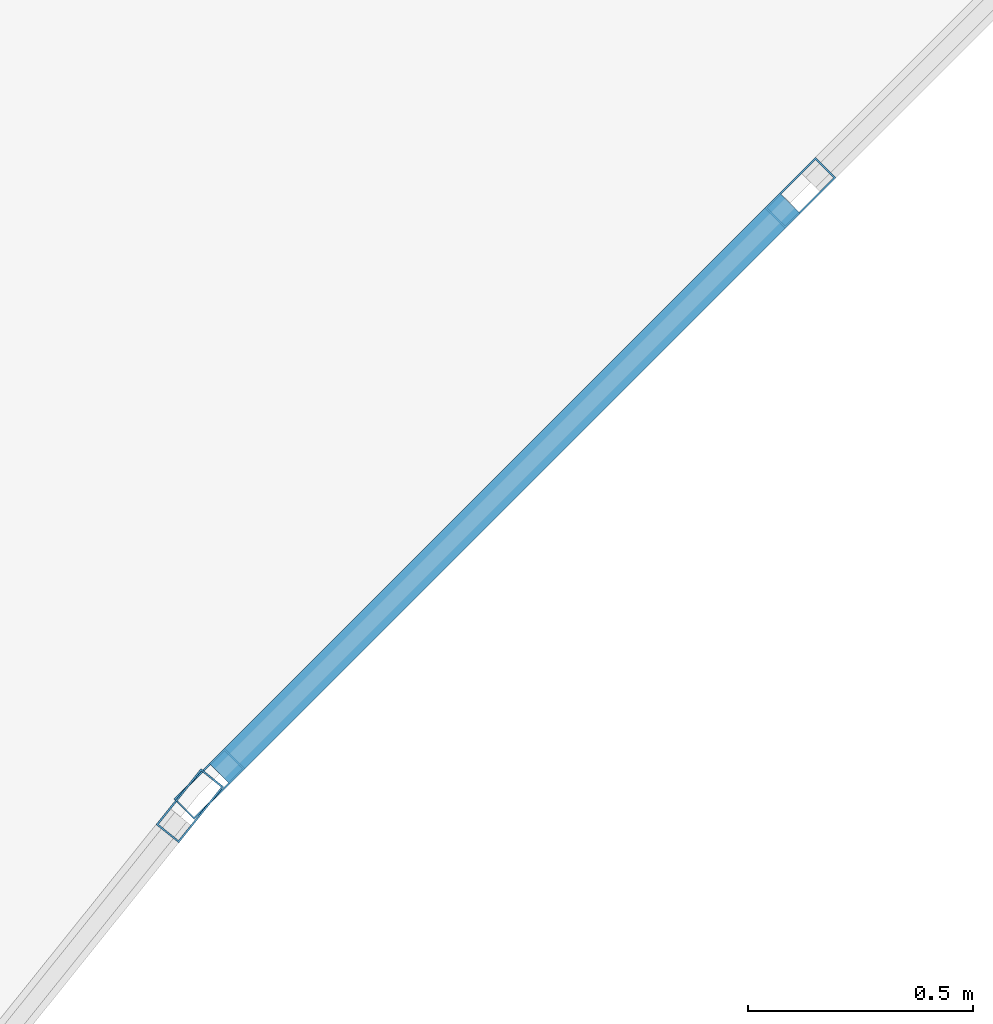
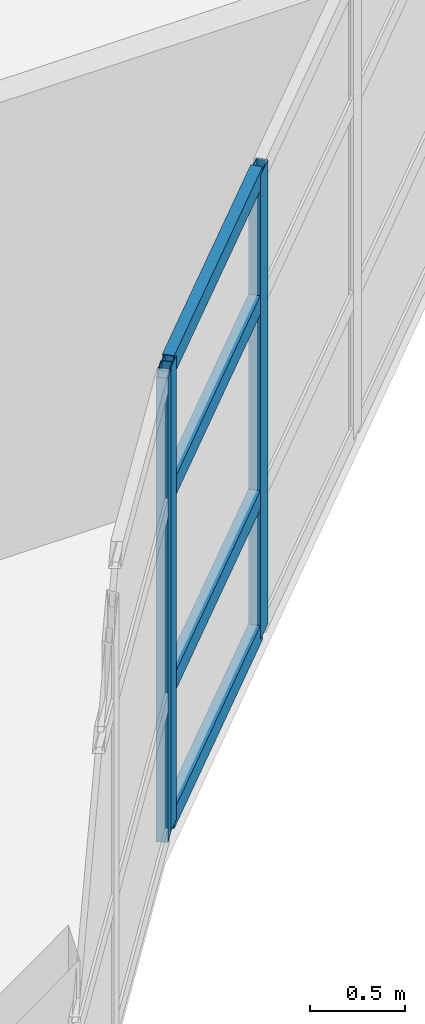
# One storey, part 13 of 79: 7 members, 2 elements without a shape of their own.
"""IFC4 building model written with IfcOpenShell, lengths in metres."""

from ifc_helpers import new_model, si_unit, direction, frame, origin, origin_2d, place, context, subcontext, project, spatial, hollow_rectangle, extrude, material, layer, layer_set, material_profile, profile_set, type_object, element, aggregate, save


model = new_model("IFC4")

# Units and contexts
model_context = context("Model", 3, precision=1e-05, world=origin(), true_north=direction((0.0, 1.0)))
body_context = subcontext(model_context, "Body", "Model", "MODEL_VIEW")
ifc_project = project(units=[si_unit("LENGTHUNIT", "METRE"), si_unit("AREAUNIT", "SQUARE_METRE"), si_unit("VOLUMEUNIT", "CUBIC_METRE"), si_unit("PLANEANGLEUNIT", "RADIAN"), si_unit("MASSUNIT", "GRAM", prefix="KILO")], contexts=[model_context])

# Site, building, storey
site_placement = place(None, origin())
site = spatial("IfcSite", under=ifc_project, at=site_placement, CompositionType="ELEMENT")
building_placement = place(site_placement, origin())
building = spatial("IfcBuilding", under=site, at=building_placement, Name="Keldmere Railside Commons", CompositionType="ELEMENT")
storey_placement = place(building_placement, frame((0.0, 0.0, 10.56005859375)))
storey = spatial("IfcBuildingStorey", under=building, at=storey_placement, Name="L03", CompositionType="ELEMENT", Elevation=10.56005859375)

# Curtain wall, member
ifc_material = material(Name="Thermally Broken Aluminium", Category="aluminium")
ifc_layer_1 = layer(ifc_material, 0.159912109375, Name="Court Chord Wintergarden CW 4800x2850")
ifc_layer_set_1 = layer_set([ifc_layer_1], Name="Thermally Broken Aluminium")
curtain_wall_type_1 = type_object("IfcCurtainWallType", Name="Court Chord Wintergarden CW 4800x2850", PredefinedType="NOTDEFINED", material=ifc_layer_set_1)
curtain_wall_1_placement = place(storey_placement, origin())
curtain_wall_1 = element("IfcCurtainWall", 1, at=curtain_wall_1_placement, inside=storey, type_object=curtain_wall_type_1, Name="CW-12 CW-L03-043", PredefinedType="NOTDEFINED")
ifc_material_profile_1 = material_profile(ifc_material, hollow_rectangle(XDim=0.06494140625, YDim=0.159912109375, WallThickness=0.00390625, at=origin_2d()), Name="ALU-MULL-65x160")
ifc_profile_set_1 = profile_set([ifc_material_profile_1], Name="Thermally Broken Aluminium")
member_type_1 = type_object("IfcMemberType", Name="Unitised Curtain Wall Mullion 65x160", PredefinedType="MULLION", material=ifc_profile_set_1)
member_1_placement = place(storey_placement, frame((67.53369140625, 92.404541015625, 0.0), z_axis=(0.0, 0.0, 1.0), x_axis=(0.780009172323, -0.625768080915, 0.0)))
member_1 = element("IfcMember", 2, at=member_1_placement, type_object=member_type_1, Name="CW-12 mullion 1", PredefinedType="MULLION", context=body_context, shape_type="SweptSolid", body=[
    extrude(hollow_rectangle(XDim=0.06494140625, YDim=0.159912109375, WallThickness=0.00390625, at=origin_2d()), origin(), (0.0, 0.0, 1.0), 2.97998046875),
])
aggregate(curtain_wall_1, [member_1])

# Curtain wall, members
ifc_layer_2 = layer(ifc_material, 0.159912109375, Name="Court Chord Wintergarden CW 5400x2850")
ifc_layer_set_2 = layer_set([ifc_layer_2], Name="Thermally Broken Aluminium")
curtain_wall_type_2 = type_object("IfcCurtainWallType", Name="Court Chord Wintergarden CW 5400x2850", PredefinedType="NOTDEFINED", material=ifc_layer_set_2)
curtain_wall_2_placement = place(storey_placement, origin())
curtain_wall_2 = element("IfcCurtainWall", 3, at=curtain_wall_2_placement, inside=storey, type_object=curtain_wall_type_2, Name="CW-13 CW-L03-044", PredefinedType="NOTDEFINED")
member_2_placement = place(storey_placement, frame((68.892578125, 93.7685546875, 0.0), z_axis=(0.0, 0.0, 1.0), x_axis=(0.707106781187, -0.707106781187, 0.0)))
member_2 = element("IfcMember", 4, at=member_2_placement, type_object=member_type_1, Name="CW-13 mullion 3", PredefinedType="MULLION", context=body_context, shape_type="SweptSolid", body=[
    extrude(hollow_rectangle(XDim=0.06494140625, YDim=0.159912109375, WallThickness=0.00390625, at=origin_2d()), origin(), (0.0, 0.0, 1.0), 2.97998046875),
])
member_3_placement = place(storey_placement, frame((67.576904296875, 92.452880859375, 0.0), z_axis=(0.0, 0.0, 1.0), x_axis=(0.707106781187, -0.707106781187, 0.0)))
member_3 = element("IfcMember", 5, at=member_3_placement, type_object=member_type_1, Name="CW-13 mullion 4", PredefinedType="MULLION", context=body_context, shape_type="SweptSolid", body=[
    extrude(hollow_rectangle(XDim=0.06494140625, YDim=0.159912109375, WallThickness=0.00390625, at=origin_2d()), origin(), (0.0, 0.0, 1.0), 2.97998046875),
])
ifc_material_profile_2 = material_profile(ifc_material, hollow_rectangle(XDim=0.06494140625, YDim=0.1201171875, WallThickness=0.00390625, at=origin_2d()), Name="ALU-TRAN-65x120")
ifc_profile_set_2 = profile_set([ifc_material_profile_2], Name="Thermally Broken Aluminium")
member_type_2 = type_object("IfcMemberType", Name="Unitised Curtain Wall Transom 65x120", PredefinedType="USERDEFINED", material=ifc_profile_set_2)
member_4_placement = place(storey_placement, frame((68.86962890625, 93.74560546875, 0.032470703125), z_axis=(-0.707174762418, -0.707038793419, 0.0), x_axis=(0.707038793419, -0.707174762418, 0.0)))
member_4 = element("IfcMember", 6, at=member_4_placement, type_object=member_type_2, Name="CW-13 transom 3.1", ObjectType="TRANSOM", PredefinedType="USERDEFINED", context=body_context, shape_type="SweptSolid", body=[
    extrude(hollow_rectangle(XDim=0.06494140625, YDim=0.1201171875, WallThickness=0.00390625, at=origin_2d()), origin(), (0.0, 0.0, 1.0), 1.795654296875),
])
member_5_placement = place(storey_placement, frame((68.86962890625, 93.74560546875, 0.89990234375), z_axis=(-0.707174762418, -0.707038793419, 0.0), x_axis=(0.707038793419, -0.707174762418, 0.0)))
member_5 = element("IfcMember", 7, at=member_5_placement, type_object=member_type_2, Name="CW-13 transom 3.2", ObjectType="TRANSOM", PredefinedType="USERDEFINED", context=body_context, shape_type="SweptSolid", body=[
    extrude(hollow_rectangle(XDim=0.06494140625, YDim=0.1201171875, WallThickness=0.00390625, at=origin_2d()), origin(), (0.0, 0.0, 1.0), 1.795654296875),
])
member_6_placement = place(storey_placement, frame((68.86962890625, 93.74560546875, 2.14990234375), z_axis=(-0.707174762418, -0.707038793419, 0.0), x_axis=(0.707038793419, -0.707174762418, 0.0)))
member_6 = element("IfcMember", 8, at=member_6_placement, type_object=member_type_2, Name="CW-13 transom 3.3", ObjectType="TRANSOM", PredefinedType="USERDEFINED", context=body_context, shape_type="SweptSolid", body=[
    extrude(hollow_rectangle(XDim=0.06494140625, YDim=0.1201171875, WallThickness=0.00390625, at=origin_2d()), origin(), (0.0, 0.0, 1.0), 1.795654296875),
])
member_7_placement = place(storey_placement, frame((68.86962890625, 93.74560546875, 2.947509765625), z_axis=(-0.707174762418, -0.707038793419, 0.0), x_axis=(0.707038793419, -0.707174762418, 0.0)))
member_7 = element("IfcMember", 9, at=member_7_placement, type_object=member_type_2, Name="CW-13 transom 3.4", ObjectType="TRANSOM", PredefinedType="USERDEFINED", context=body_context, shape_type="SweptSolid", body=[
    extrude(hollow_rectangle(XDim=0.06494140625, YDim=0.1201171875, WallThickness=0.00390625, at=origin_2d()), origin(), (0.0, 0.0, 1.0), 1.795654296875),
])
aggregate(curtain_wall_2, [member_2, member_3, member_4, member_5, member_6, member_7])

save(model, "model.ifc")
